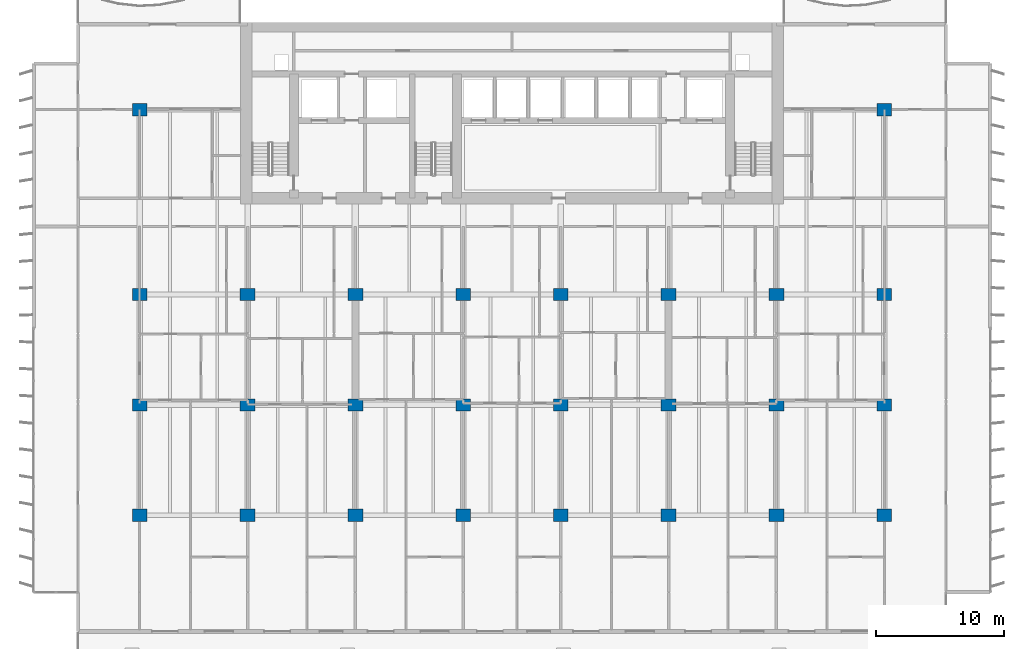
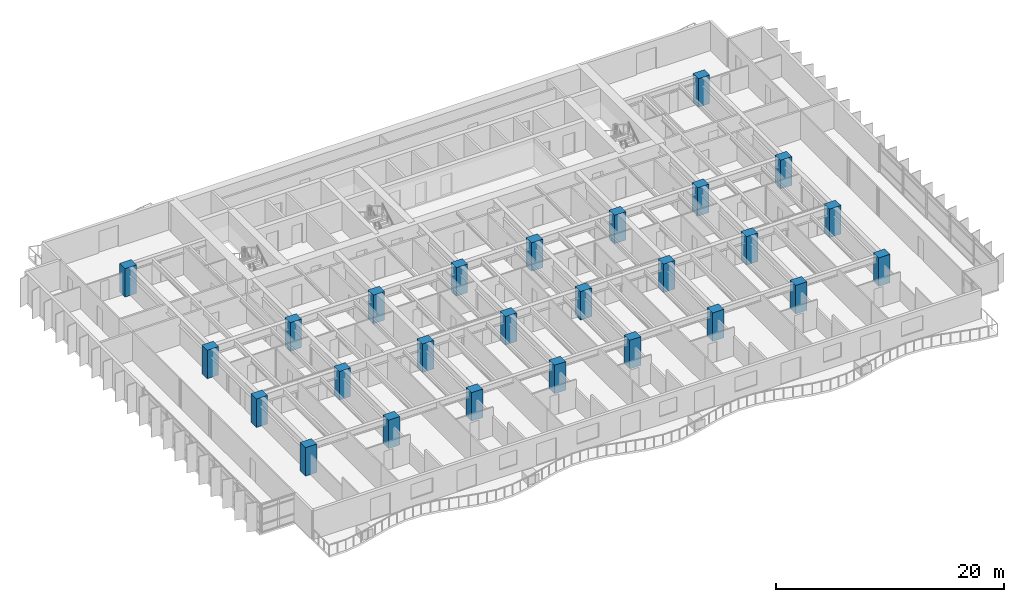
# One storey, part 1 of 18: 26 columns.
"""IFC4 building model written with IfcOpenShell, lengths in metres."""

from ifc_helpers import new_model, si_unit, direction, frame, origin, origin_2d, place, context, subcontext, project, spatial, rectangle, extrude, material, material_profile, profile_set, type_object, element, save


model = new_model("IFC4")

# Units and contexts
model_context = context("Model", 3, precision=1e-05, world=origin(), true_north=direction((0.0, 1.0)))
body_context = subcontext(model_context, "Body", "Model", "MODEL_VIEW")
ifc_project = project(units=[si_unit("LENGTHUNIT", "METRE"), si_unit("AREAUNIT", "SQUARE_METRE"), si_unit("VOLUMEUNIT", "CUBIC_METRE"), si_unit("PLANEANGLEUNIT", "RADIAN"), si_unit("MASSUNIT", "GRAM", prefix="KILO")], contexts=[model_context])

# Site, building, storey
site_placement = place(None, origin())
site = spatial("IfcSite", under=ifc_project, at=site_placement, CompositionType="ELEMENT")
building_placement = place(site_placement, origin())
building = spatial("IfcBuilding", under=site, at=building_placement, Name="Caelmar Bay Residences", CompositionType="ELEMENT")
storey_placement = place(building_placement, frame((0.0, 0.0, 69.60009765625)))
storey = spatial("IfcBuildingStorey", under=building, at=storey_placement, Name="L18", CompositionType="ELEMENT", Elevation=69.60009765625)

# Columns
ifc_material = material(Name="Concrete f'c 70 MPa (10,000 psi)", Category="concrete")
ifc_material_profile = material_profile(ifc_material, rectangle(XDim=1.14990234375, YDim=0.949951171875, at=origin_2d()), Name="RC-COL-1150X950")
ifc_profile_set = profile_set([ifc_material_profile], Name="Concrete f'c 70 MPa (10,000 psi)")
column_type = type_object("IfcColumnType", Name="COL-RC-1150X950", PredefinedType="COLUMN", material=ifc_profile_set)
for number, where, z_axis, x_axis, name in (
    (1, (9.89990234375, 12.199951171875, 0.0), (0.0, 0.0, 1.0), (1.0, 0.0, 0.0), "L18 Column (9.90,12.20)"),
    (2, (18.300048828125, 12.199951171875, 0.0), (0.0, 0.0, 1.0), (1.0, 0.0, 0.0), "L18 Column (18.30,12.20)"),
    (3, (26.699951171875, 12.199951171875, 0.0), (0.0, 0.0, 1.0), (1.0, 0.0, 0.0), "L18 Column (26.70,12.20)"),
    (4, (35.10009765625, 12.199951171875, 0.0), (0.0, 0.0, 1.0), (1.0, 0.0, 0.0), "L18 Column (35.10,12.20)"),
    (5, (42.699951171875, 12.199951171875, 0.0), (0.0, 0.0, 1.0), (1.0, 0.0, 0.0), "L18 Column (42.70,12.20)"),
    (6, (51.10009765625, 12.199951171875, 0.0), (0.0, 0.0, 1.0), (1.0, 0.0, 0.0), "L18 Column (51.10,12.20)"),
    (7, (59.5, 12.199951171875, 0.0), (0.0, 0.0, 1.0), (1.0, 0.0, 0.0), "L18 Column (59.50,12.20)"),
    (8, (67.89990234375, 12.199951171875, 0.0), (0.0, 0.0, 1.0), (1.0, 0.0, 0.0), "L18 Column (67.90,12.20)"),
    (9, (9.89990234375, 20.800048828125, 0.0), (0.0, 0.0, 1.0), (1.0, 0.0, 0.0), "L18 Column (9.90,20.80)"),
    (10, (18.300048828125, 20.800048828125, 0.0), (0.0, 0.0, 1.0), (1.0, 0.0, 0.0), "L18 Column (18.30,20.80)"),
    (11, (26.699951171875, 20.800048828125, 0.0), (0.0, 0.0, 1.0), (1.0, 0.0, 0.0), "L18 Column (26.70,20.80)"),
    (12, (35.10009765625, 20.800048828125, 0.0), (0.0, 0.0, 1.0), (1.0, 0.0, 0.0), "L18 Column (35.10,20.80)"),
    (13, (42.699951171875, 20.800048828125, 0.0), (0.0, 0.0, 1.0), (1.0, 0.0, 0.0), "L18 Column (42.70,20.80)"),
    (14, (51.10009765625, 20.800048828125, 0.0), (0.0, 0.0, 1.0), (1.0, 0.0, 0.0), "L18 Column (51.10,20.80)"),
    (15, (59.5, 20.800048828125, 0.0), (0.0, 0.0, 1.0), (1.0, 0.0, 0.0), "L18 Column (59.50,20.80)"),
    (16, (67.89990234375, 20.800048828125, 0.0), (0.0, 0.0, 1.0), (1.0, 0.0, 0.0), "L18 Column (67.90,20.80)"),
    (17, (9.89990234375, 29.39990234375, 0.0), (0.0, 0.0, 1.0), (1.0, 0.0, 0.0), "L18 Column (9.90,29.40)"),
    (18, (18.300048828125, 29.39990234375, 0.0), (0.0, 0.0, 1.0), (1.0, 0.0, 0.0), "L18 Column (18.30,29.40)"),
    (19, (26.699951171875, 29.39990234375, 0.0), (0.0, 0.0, 1.0), (1.0, 0.0, 0.0), "L18 Column (26.70,29.40)"),
    (20, (35.10009765625, 29.39990234375, 0.0), (0.0, 0.0, 1.0), (1.0, 0.0, 0.0), "L18 Column (35.10,29.40)"),
    (21, (42.699951171875, 29.39990234375, 0.0), (0.0, 0.0, 1.0), (1.0, 0.0, 0.0), "L18 Column (42.70,29.40)"),
    (22, (51.10009765625, 29.39990234375, 0.0), (0.0, 0.0, 1.0), (1.0, 0.0, 0.0), "L18 Column (51.10,29.40)"),
    (23, (59.5, 29.39990234375, 0.0), (0.0, 0.0, 1.0), (1.0, 0.0, 0.0), "L18 Column (59.50,29.40)"),
    (24, (67.89990234375, 29.39990234375, 0.0), (0.0, 0.0, 1.0), (1.0, 0.0, 0.0), "L18 Column (67.90,29.40)"),
    (25, (9.89990234375, 43.800048828125, 0.0), (0.0, 0.0, 1.0), (1.0, 0.0, 0.0), "L18 Column (9.90,43.80)"),
    (26, (67.89990234375, 43.800048828125, 0.0), (0.0, 0.0, 1.0), (1.0, 0.0, 0.0), "L18 Column (67.90,43.80)"),
):
    element("IfcColumn", number, at=place(storey_placement, frame(where, z_axis=z_axis, x_axis=x_axis)), inside=storey, type_object=column_type, Name=name, PredefinedType="COLUMN", context=body_context, shape_type="SweptSolid", body=[
        extrude(rectangle(XDim=1.14990234375, YDim=0.949951171875, at=origin_2d()), origin(), (0.0, 0.0, 1.0), 3.0498046875),
    ])

save(model, "model.ifc")
